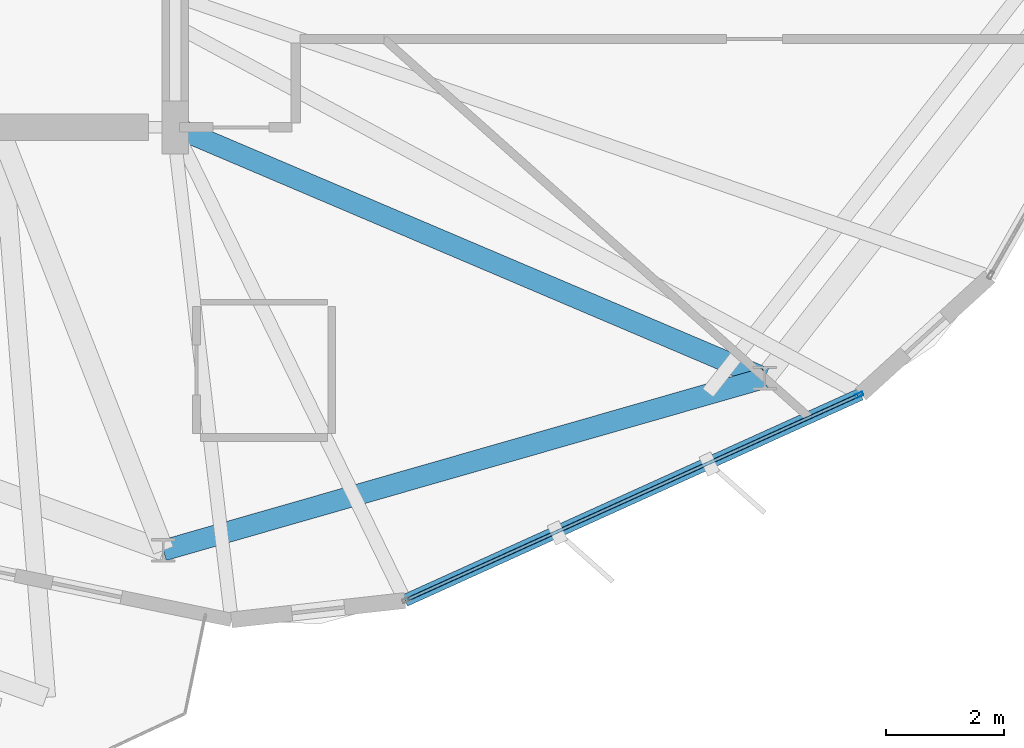
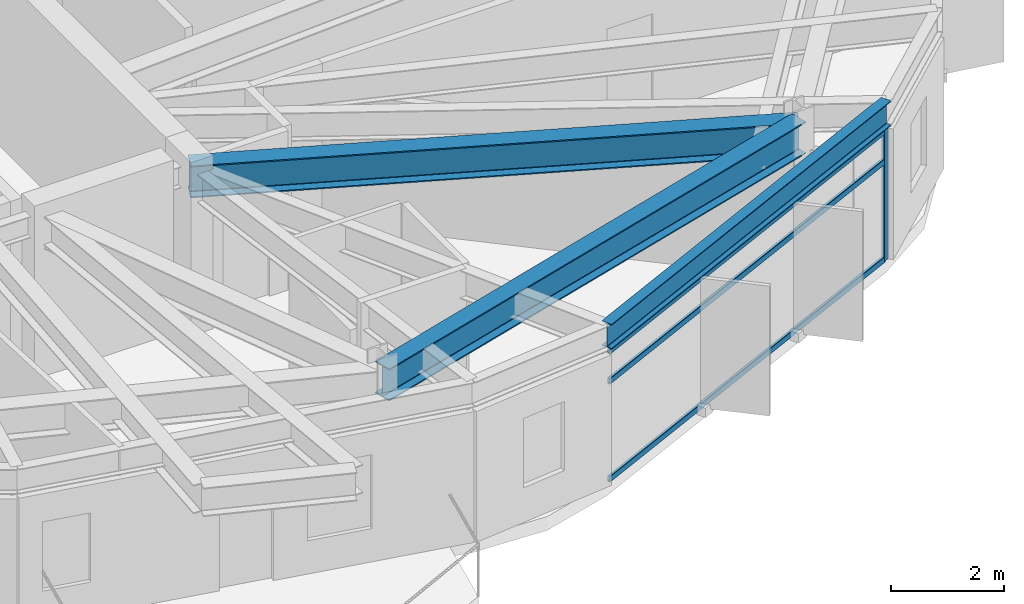
# One storey, part 6 of 23: 4 members, 3 beams, 1 element without a shape of its own.
"""IFC4 building model written with IfcOpenShell, lengths in metres."""

from ifc_helpers import new_model, si_unit, direction, frame, origin, origin_2d, place, context, subcontext, project, spatial, hollow_rectangle, i_section, extrude, material, layer, layer_set, material_profile, profile_set, type_object, element, aggregate, save


model = new_model("IFC4")

# Units and contexts
model_context = context("Model", 3, precision=1e-05, world=origin(), true_north=direction((0.0, 1.0)))
body_context = subcontext(model_context, "Body", "Model", "MODEL_VIEW")
ifc_project = project(units=[si_unit("LENGTHUNIT", "METRE"), si_unit("AREAUNIT", "SQUARE_METRE"), si_unit("VOLUMEUNIT", "CUBIC_METRE"), si_unit("PLANEANGLEUNIT", "RADIAN"), si_unit("MASSUNIT", "GRAM", prefix="KILO")], contexts=[model_context])

# Site, building, storey
site_placement = place(None, origin())
site = spatial("IfcSite", under=ifc_project, at=site_placement, CompositionType="ELEMENT")
building_placement = place(site_placement, origin())
building = spatial("IfcBuilding", under=site, at=building_placement, Name="Soratama Intermodal Tower", CompositionType="ELEMENT")
storey_placement = place(building_placement, frame((0.0, 0.0, 257.5)))
storey = spatial("IfcBuildingStorey", under=building, at=storey_placement, Name="L65", CompositionType="ELEMENT", Elevation=257.5)

# Beams
ifc_material_1 = material(Name="Structural steel ASTM A992 Grade 50", Category="steel")
ifc_material_profile_1 = material_profile(ifc_material_1, i_section(OverallWidth=0.35498046875, OverallDepth=0.695068359375, WebThickness=0.015380859375, FlangeThickness=0.02490234375, FilletRadius=0.01611328125, at=origin_2d()), Name="W27X146")
ifc_profile_set_1 = profile_set([ifc_material_profile_1], Name="Structural steel ASTM A992 Grade 50")
beam_type_1 = type_object("IfcBeamType", Name="BM-RING-W27X146", PredefinedType="BEAM", material=ifc_profile_set_1)
beam_1_placement = place(storey_placement, frame((44.39990234375, 7.81103515625, 3.1025390625), z_axis=(0.961262636932, 0.27563407416, 0.0), x_axis=(-0.27563407416, 0.961262636932, 0.0)))
element("IfcBeam", 1, at=beam_1_placement, inside=storey, type_object=beam_type_1, Name="BM-L65-RING-08", PredefinedType="BEAM", context=body_context, shape_type="SweptSolid", body=[
    extrude(i_section(OverallWidth=0.35498046875, OverallDepth=0.695068359375, WebThickness=0.015380859375, FlangeThickness=0.02490234375, FilletRadius=0.01611328125, at=origin_2d()), origin(), (0.0, 0.0, 1.0), 10.6298828125),
])
beam_2_placement = place(storey_placement, frame((44.60009765625, 15.0, 3.1025390625), z_axis=(0.920282671955, -0.391254142087, 0.0), x_axis=(0.391254142087, 0.920282671955, 0.0)))
element("IfcBeam", 2, at=beam_2_placement, inside=storey, type_object=beam_type_1, Name="BM-L65-RAD-09", PredefinedType="BEAM", context=body_context, shape_type="SweptSolid", body=[
    extrude(i_section(OverallWidth=0.35498046875, OverallDepth=0.695068359375, WebThickness=0.015380859375, FlangeThickness=0.02490234375, FilletRadius=0.01611328125, at=origin_2d()), origin(), (0.0, 0.0, 1.0), 10.885498046875),
])
ifc_material_2 = material(Name="Structural steel ASTM A992 Grade 50", Category="steel")
ifc_material_profile_2 = material_profile(ifc_material_2, i_section(OverallWidth=0.2099609375, OverallDepth=0.537109375, WebThickness=0.010986328125, FlangeThickness=0.017333984375, FilletRadius=0.012939453125, at=origin_2d()), Name="W21X68")
ifc_profile_set_2 = profile_set([ifc_material_profile_2], Name="Structural steel ASTM A992 Grade 50")
beam_type_2 = type_object("IfcBeamType", Name="BM-SPN-W21X68", PredefinedType="SPANDREL", material=ifc_profile_set_2)
beam_3_placement = place(storey_placement, frame((48.5029296875, 6.958984375, 3.181396484375), z_axis=(0.910964565873, 0.412484617559, 0.0), x_axis=(-0.412484617559, 0.910964565873, 0.0)))
element("IfcBeam", 3, at=beam_3_placement, inside=storey, type_object=beam_type_2, Name="BS-L65-F07", PredefinedType="SPANDREL", context=body_context, shape_type="SweptSolid", body=[
    extrude(i_section(OverallWidth=0.2099609375, OverallDepth=0.537109375, WebThickness=0.010986328125, FlangeThickness=0.017333984375, FilletRadius=0.012939453125, at=origin_2d()), origin(), (0.0, 0.0, 1.0), 8.5),
])

# Curtain wall, members
ifc_material_3 = material(Name="Double-glazed aluminium curtain wall", Category="aluminium")
ifc_layer = layer(ifc_material_3, 0.159912109375)
ifc_layer_set = layer_set([ifc_layer], Name="Double-glazed aluminium curtain wall")
curtain_wall_type = type_object("IfcCurtainWallType", Name="CW-SYS-5", PredefinedType="NOTDEFINED", material=ifc_layer_set)
curtain_wall_placement = place(storey_placement, origin())
curtain_wall = element("IfcCurtainWall", 4, at=curtain_wall_placement, inside=storey, type_object=curtain_wall_type, Name="L65 Faceted Curtain Wall F07", PredefinedType="NOTDEFINED")
ifc_material_4 = material(Name="Anodised aluminium AA 6063-T6", Category="aluminium")
ifc_material_profile_3 = material_profile(ifc_material_4, hollow_rectangle(XDim=0.06494140625, YDim=0.139892578125, WallThickness=0.0048828125, InnerFilletRadius=0.0048828125, OuterFilletRadius=0.010009765625, at=origin_2d()), Name="CWM140X65X5")
ifc_profile_set_3 = profile_set([ifc_material_profile_3], Name="Anodised aluminium AA 6063-T6")
member_type_1 = type_object("IfcMemberType", Name="MT-CWM-5", PredefinedType="MULLION", material=ifc_profile_set_3)
member_1_placement = place(storey_placement, frame((56.218994140625, 10.45263671875, 0.0), z_axis=(0.0, 0.0, 1.0), x_axis=(-0.412467579868, 0.910972280346, 0.0)))
member_1 = element("IfcMember", 5, at=member_1_placement, type_object=member_type_1, Name="CW-5 mullion 2", PredefinedType="MULLION", context=body_context, shape_type="SweptSolid", body=[
    extrude(hollow_rectangle(XDim=0.06494140625, YDim=0.139892578125, WallThickness=0.0048828125, InnerFilletRadius=0.0048828125, OuterFilletRadius=0.010009765625, at=origin_2d()), origin(), (0.0, 0.0, 1.0), 2.8291015625),
])
ifc_material_5 = material(Name="Anodised aluminium AA 6063-T6", Category="aluminium")
ifc_material_profile_4 = material_profile(ifc_material_5, hollow_rectangle(XDim=0.06005859375, YDim=0.1298828125, WallThickness=0.0048828125, InnerFilletRadius=0.0048828125, OuterFilletRadius=0.010009765625, at=origin_2d()), Name="CWT130X60X5")
ifc_profile_set_4 = profile_set([ifc_material_profile_4], Name="Anodised aluminium AA 6063-T6")
member_type_2 = type_object("IfcMemberType", Name="TT-CWT-2", PredefinedType="USERDEFINED", material=ifc_profile_set_4)
member_2_placement = place(storey_placement, frame((48.557861328125, 6.983642578125, 0.030029296875), z_axis=(0.910966160552, 0.412481095724, 0.0), x_axis=(-0.412481095724, 0.910966160552, 0.0)))
member_2 = element("IfcMember", 6, at=member_2_placement, type_object=member_type_2, Name="CW-5 transom 1.1", ObjectType="TRANSOM", PredefinedType="USERDEFINED", context=body_context, shape_type="SweptSolid", body=[
    extrude(hollow_rectangle(XDim=0.06005859375, YDim=0.1298828125, WallThickness=0.0048828125, InnerFilletRadius=0.0048828125, OuterFilletRadius=0.010009765625, at=origin_2d()), origin(), (0.0, 0.0, 1.0), 8.3798828125),
])
member_3_placement = place(storey_placement, frame((48.557861328125, 6.983642578125, 2.14990234375), z_axis=(0.910966160552, 0.412481095724, 0.0), x_axis=(-0.412481095724, 0.910966160552, 0.0)))
member_3 = element("IfcMember", 7, at=member_3_placement, type_object=member_type_2, Name="CW-5 transom 1.2", ObjectType="TRANSOM", PredefinedType="USERDEFINED", context=body_context, shape_type="SweptSolid", body=[
    extrude(hollow_rectangle(XDim=0.06005859375, YDim=0.1298828125, WallThickness=0.0048828125, InnerFilletRadius=0.0048828125, OuterFilletRadius=0.010009765625, at=origin_2d()), origin(), (0.0, 0.0, 1.0), 8.3798828125),
])
member_4_placement = place(storey_placement, frame((48.557861328125, 6.983642578125, 2.799072265625), z_axis=(0.910966160552, 0.412481095724, 0.0), x_axis=(-0.412481095724, 0.910966160552, 0.0)))
member_4 = element("IfcMember", 8, at=member_4_placement, type_object=member_type_2, Name="CW-5 transom 1.3", ObjectType="TRANSOM", PredefinedType="USERDEFINED", context=body_context, shape_type="SweptSolid", body=[
    extrude(hollow_rectangle(XDim=0.06005859375, YDim=0.1298828125, WallThickness=0.0048828125, InnerFilletRadius=0.0048828125, OuterFilletRadius=0.010009765625, at=origin_2d()), origin(), (0.0, 0.0, 1.0), 8.3798828125),
])
aggregate(curtain_wall, [member_1, member_2, member_3, member_4])

save(model, "model.ifc")
